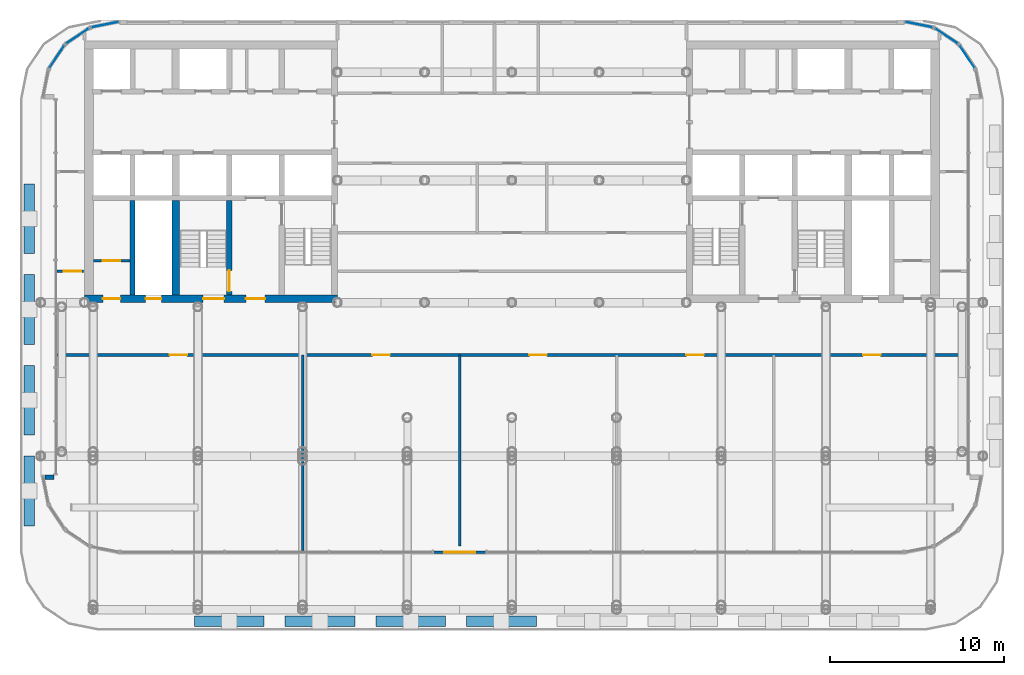
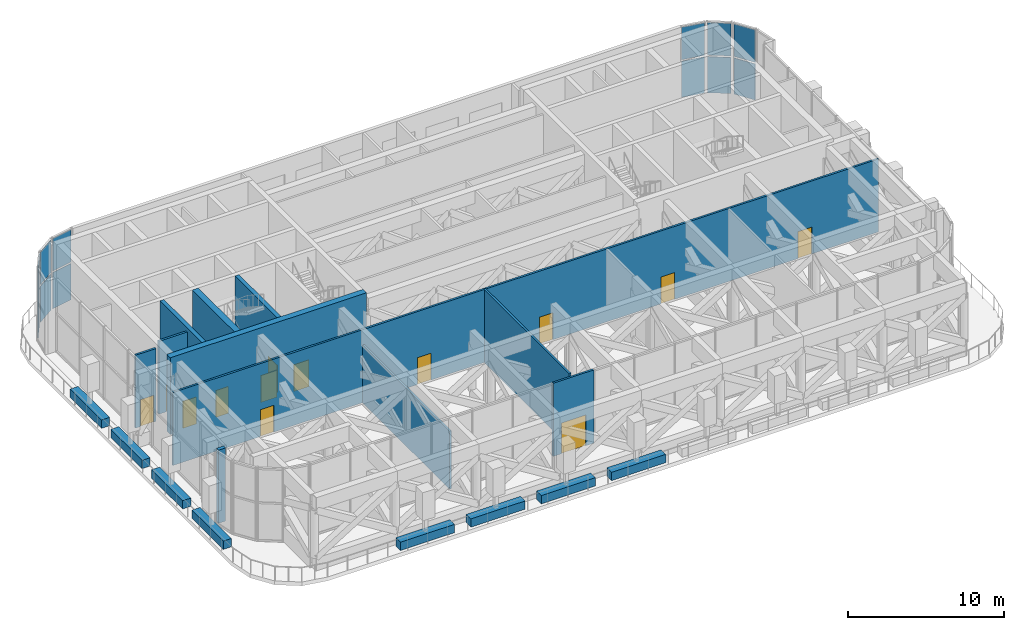
# One storey, part 11 of 20: 19 walls, 13 doors, 12 plates, 13 openings, 6 elements without a shape of their own.
"""IFC4 building model written with IfcOpenShell, lengths in metres."""

from ifc_helpers import new_model, si_unit, direction, frame, frame_2d, origin, origin_2d, place, context, subcontext, project, spatial, rectangle, extrude, material, layer, layer_set, type_object, element, fill, aggregate, save


model = new_model("IFC4")

# Units and contexts
model_context = context("Model", 3, precision=1e-05, world=origin(), true_north=direction((0.0, 1.0)))
body_context = subcontext(model_context, "Body", "Model", "MODEL_VIEW")
ifc_project = project(units=[si_unit("LENGTHUNIT", "METRE"), si_unit("AREAUNIT", "SQUARE_METRE"), si_unit("VOLUMEUNIT", "CUBIC_METRE"), si_unit("PLANEANGLEUNIT", "RADIAN"), si_unit("MASSUNIT", "GRAM", prefix="KILO")], contexts=[model_context])

# Site, building, storey
site_placement = place(None, origin())
site = spatial("IfcSite", under=ifc_project, at=site_placement, CompositionType="ELEMENT")
building_placement = place(site_placement, origin())
building = spatial("IfcBuilding", under=site, at=building_placement, Name="Torana Hotel and Residences", CompositionType="ELEMENT")
storey_placement = place(building_placement, frame((0.0, 0.0, 177.60009765625)))
storey = spatial("IfcBuildingStorey", under=building, at=storey_placement, Name="L46", CompositionType="ELEMENT", Elevation=177.60009765625)

# Curtain wall, plates
ifc_material_1 = material(Name="Dark anodised aluminium", Category="aluminium")
ifc_layer_1 = layer(ifc_material_1, 0.199951171875)
ifc_layer_set_1 = layer_set([ifc_layer_1], Name="CW2 SKY LOBBY UNITISED CURTAIN WALL")
curtain_wall_type = type_object("IfcCurtainWallType", Name="CW2 SKY LOBBY UNITISED CURTAIN WALL", PredefinedType="NOTDEFINED", material=ifc_layer_set_1)
curtain_wall_1_placement = place(storey_placement, origin())
curtain_wall_1 = element("IfcCurtainWall", 1, at=curtain_wall_1_placement, inside=storey, type_object=curtain_wall_type, Name="Curtain wall CW2 L46 e0.1-1", PredefinedType="NOTDEFINED")
ifc_material_2 = material(Name="Glass dark tinted double glazed unit", Category="glass")
ifc_layer_2 = layer(ifc_material_2, 0.031982421875)
ifc_layer_set_2 = layer_set([ifc_layer_2], Name="CW2 DARK GLASS PANEL 32")
plate_type = type_object("IfcPlateType", Name="CW2 DARK GLASS PANEL 32", PredefinedType="CURTAIN_PANEL", material=ifc_layer_set_2)
plate_1_placement = place(storey_placement, frame((26.086669921875, -0.903564453125, 0.11962890625), z_axis=(0.0, 0.0, 1.0), x_axis=(-0.555563713278, 0.831473968618, 0.0)))
plate_1 = element("IfcPlate", 2, at=plate_1_placement, type_object=plate_type, Name="CW2 panel 1.1", PredefinedType="CURTAIN_PANEL", context=body_context, shape_type="SweptSolid", body=[
    extrude(rectangle(XDim=1.516357421875, YDim=0.031982421875, at=origin_2d()), origin(), (0.0, 0.0, 1.0), 2.820068359375),
])
plate_2_placement = place(storey_placement, frame((26.086669921875, -0.903564453125, 3.059814453125), z_axis=(0.0, 0.0, 1.0), x_axis=(-0.555563713278, 0.831473968618, 0.0)))
plate_2 = element("IfcPlate", 3, at=plate_2_placement, type_object=plate_type, Name="CW2 panel 1.2", PredefinedType="CURTAIN_PANEL", context=body_context, shape_type="SweptSolid", body=[
    extrude(rectangle(XDim=1.516357421875, YDim=0.031982421875, at=origin_2d()), origin(), (0.0, 0.0, 1.0), 2.5400390625),
])
aggregate(curtain_wall_1, [plate_1, plate_2])

curtain_wall_2_placement = place(storey_placement, origin())
curtain_wall_2 = element("IfcCurtainWall", 4, at=curtain_wall_2_placement, inside=storey, type_object=curtain_wall_type, Name="Curtain wall CW2 L46 e0.2-1", PredefinedType="NOTDEFINED")
plate_3_placement = place(storey_placement, frame((24.896484375, 0.28662109375, 0.11962890625), z_axis=(0.0, 0.0, 1.0), x_axis=(-0.831473968618, 0.555563713278, 0.0)))
plate_3 = element("IfcPlate", 5, at=plate_3_placement, type_object=plate_type, Name="CW2 panel 1.1", PredefinedType="CURTAIN_PANEL", context=body_context, shape_type="SweptSolid", body=[
    extrude(rectangle(XDim=1.516357421875, YDim=0.031982421875, at=origin_2d()), origin(), (0.0, 0.0, 1.0), 2.820068359375),
])
plate_4_placement = place(storey_placement, frame((24.896484375, 0.28662109375, 3.059814453125), z_axis=(0.0, 0.0, 1.0), x_axis=(-0.831473968618, 0.555563713278, 0.0)))
plate_4 = element("IfcPlate", 6, at=plate_4_placement, type_object=plate_type, Name="CW2 panel 1.2", PredefinedType="CURTAIN_PANEL", context=body_context, shape_type="SweptSolid", body=[
    extrude(rectangle(XDim=1.516357421875, YDim=0.031982421875, at=origin_2d()), origin(), (0.0, 0.0, 1.0), 2.5400390625),
])
aggregate(curtain_wall_2, [plate_3, plate_4])

curtain_wall_3_placement = place(storey_placement, origin())
curtain_wall_3 = element("IfcCurtainWall", 7, at=curtain_wall_3_placement, inside=storey, type_object=curtain_wall_type, Name="Curtain wall CW2 L46 e0.3-1", PredefinedType="NOTDEFINED")
plate_5_placement = place(storey_placement, frame((23.3291015625, 0.93310546875, 0.11962890625), z_axis=(0.0, 0.0, 1.0), x_axis=(-0.980790545928, 0.195063848566, 0.0)))
plate_5 = element("IfcPlate", 8, at=plate_5_placement, type_object=plate_type, Name="CW2 panel 1.1", PredefinedType="CURTAIN_PANEL", context=body_context, shape_type="SweptSolid", body=[
    extrude(rectangle(XDim=1.54150390625, YDim=0.031982421875, at=origin_2d()), origin(), (0.0, 0.0, 1.0), 2.820068359375),
])
plate_6_placement = place(storey_placement, frame((23.3291015625, 0.93310546875, 3.059814453125), z_axis=(0.0, 0.0, 1.0), x_axis=(-0.980790545928, 0.195063848566, 0.0)))
plate_6 = element("IfcPlate", 9, at=plate_6_placement, type_object=plate_type, Name="CW2 panel 1.2", PredefinedType="CURTAIN_PANEL", context=body_context, shape_type="SweptSolid", body=[
    extrude(rectangle(XDim=1.54150390625, YDim=0.031982421875, at=origin_2d()), origin(), (0.0, 0.0, 1.0), 2.5400390625),
])
aggregate(curtain_wall_3, [plate_5, plate_6])

curtain_wall_4_placement = place(storey_placement, origin())
curtain_wall_4 = element("IfcCurtainWall", 10, at=curtain_wall_4_placement, inside=storey, type_object=curtain_wall_type, Name="Curtain wall CW2 L46 e0.5-1", PredefinedType="NOTDEFINED")
plate_7_placement = place(storey_placement, frame((-23.3291015625, 0.93310546875, 0.11962890625), z_axis=(0.0, 0.0, 1.0), x_axis=(-0.980790545928, -0.195063848566, 0.0)))
plate_7 = element("IfcPlate", 11, at=plate_7_placement, type_object=plate_type, Name="CW2 panel 1.1", PredefinedType="CURTAIN_PANEL", context=body_context, shape_type="SweptSolid", body=[
    extrude(rectangle(XDim=1.54150390625, YDim=0.031982421875, at=origin_2d()), origin(), (0.0, 0.0, 1.0), 2.820068359375),
])
plate_8_placement = place(storey_placement, frame((-23.3291015625, 0.93310546875, 3.059814453125), z_axis=(0.0, 0.0, 1.0), x_axis=(-0.980790545928, -0.195063848566, 0.0)))
plate_8 = element("IfcPlate", 12, at=plate_8_placement, type_object=plate_type, Name="CW2 panel 1.2", PredefinedType="CURTAIN_PANEL", context=body_context, shape_type="SweptSolid", body=[
    extrude(rectangle(XDim=1.54150390625, YDim=0.031982421875, at=origin_2d()), origin(), (0.0, 0.0, 1.0), 2.5400390625),
])
aggregate(curtain_wall_4, [plate_7, plate_8])

curtain_wall_5_placement = place(storey_placement, origin())
curtain_wall_5 = element("IfcCurtainWall", 13, at=curtain_wall_5_placement, inside=storey, type_object=curtain_wall_type, Name="Curtain wall CW2 L46 e0.6-1", PredefinedType="NOTDEFINED")
plate_9_placement = place(storey_placement, frame((-24.896484375, 0.28662109375, 0.11962890625), z_axis=(0.0, 0.0, 1.0), x_axis=(-0.831473968618, -0.555563713278, 0.0)))
plate_9 = element("IfcPlate", 14, at=plate_9_placement, type_object=plate_type, Name="CW2 panel 1.1", PredefinedType="CURTAIN_PANEL", context=body_context, shape_type="SweptSolid", body=[
    extrude(rectangle(XDim=1.516357421875, YDim=0.031982421875, at=origin_2d()), origin(), (0.0, 0.0, 1.0), 2.820068359375),
])
plate_10_placement = place(storey_placement, frame((-24.896484375, 0.28662109375, 3.059814453125), z_axis=(0.0, 0.0, 1.0), x_axis=(-0.831473968618, -0.555563713278, 0.0)))
plate_10 = element("IfcPlate", 15, at=plate_10_placement, type_object=plate_type, Name="CW2 panel 1.2", PredefinedType="CURTAIN_PANEL", context=body_context, shape_type="SweptSolid", body=[
    extrude(rectangle(XDim=1.516357421875, YDim=0.031982421875, at=origin_2d()), origin(), (0.0, 0.0, 1.0), 2.5400390625),
])
aggregate(curtain_wall_5, [plate_9, plate_10])

curtain_wall_6_placement = place(storey_placement, origin())
curtain_wall_6 = element("IfcCurtainWall", 16, at=curtain_wall_6_placement, inside=storey, type_object=curtain_wall_type, Name="Curtain wall CW2 L46 e0.7-1", PredefinedType="NOTDEFINED")
plate_11_placement = place(storey_placement, frame((-26.086669921875, -0.903564453125, 0.11962890625), z_axis=(0.0, 0.0, 1.0), x_axis=(-0.555563713278, -0.831473968618, 0.0)))
plate_11 = element("IfcPlate", 17, at=plate_11_placement, type_object=plate_type, Name="CW2 panel 1.1", PredefinedType="CURTAIN_PANEL", context=body_context, shape_type="SweptSolid", body=[
    extrude(rectangle(XDim=1.516357421875, YDim=0.031982421875, at=origin_2d()), origin(), (0.0, 0.0, 1.0), 2.820068359375),
])
plate_12_placement = place(storey_placement, frame((-26.086669921875, -0.903564453125, 3.059814453125), z_axis=(0.0, 0.0, 1.0), x_axis=(-0.555563713278, -0.831473968618, 0.0)))
plate_12 = element("IfcPlate", 18, at=plate_12_placement, type_object=plate_type, Name="CW2 panel 1.2", PredefinedType="CURTAIN_PANEL", context=body_context, shape_type="SweptSolid", body=[
    extrude(rectangle(XDim=1.516357421875, YDim=0.031982421875, at=origin_2d()), origin(), (0.0, 0.0, 1.0), 2.5400390625),
])
aggregate(curtain_wall_6, [plate_11, plate_12])

# Wall, opening, door
ifc_material_3 = material(Name="Concrete C70/85", Category="concrete")
ifc_layer_3 = layer(ifc_material_3, 0.300048828125)
ifc_layer_set_3 = layer_set([ifc_layer_3], Name="CORE WALL 300 C70/85")
wall_type_1 = type_object("IfcWallType", Name="CORE WALL 300 C70/85", PredefinedType="SHEAR", material=ifc_layer_set_3)
wall_1_placement = place(storey_placement, frame((-16.199951171875, -14.550048828125, 0.0), z_axis=(0.0, 0.0, 1.0), x_axis=(0.0, 1.0, 0.0)))
wall_1 = element("IfcWall", 19, at=wall_1_placement, inside=storey, type_object=wall_type_1, Name="Core wall W x6.05-band", PredefinedType="SHEAR", context=body_context, shape_type="SweptSolid", body=[
    extrude(rectangle(XDim=5.400146484375, YDim=0.300048828125, at=frame_2d((2.7001953125, 0.0))), origin(), (0.0, 0.0, 1.0), 6.0),
])
opening_1_placement = place(wall_1_placement, frame((0.199951171875, 0.0, 0.0)))
opening_1 = element("IfcOpeningElement", 20, at=opening_1_placement, cuts=wall_1, Name="Opening L46-14", PredefinedType="OPENING", context=body_context, shape_type="SweptSolid", body=[
    extrude(rectangle(XDim=1.199951171875, YDim=2.10009765625, at=frame_2d((0.60009765625, 1.050048828125))), frame((0.0, 0.159912109375, 0.0), z_axis=(0.0, -1.0, 0.0), x_axis=(1.0, 0.0, 0.0)), (0.0, 0.0, 1.0), 0.320068359375),
])
ifc_material_4 = material(Name="Steel S235", Category="steel")
door_type_1 = type_object("IfcDoorType", Name="STAIR FIRE DOOR D3 1200x2100", OperationType="SINGLE_SWING_LEFT", PredefinedType="DOOR", material=ifc_material_4)
door_1_placement = place(opening_1_placement, origin())
door_1 = element("IfcDoor", 21, at=door_1_placement, inside=storey, type_object=door_type_1, Name="Stair-B-lobby door L46", OperationType="SINGLE_SWING_RIGHT", OverallHeight=2.10009765625, OverallWidth=1.199951171875, PredefinedType="DOOR", context=body_context, shape_type="SweptSolid", body=[
    extrude(rectangle(XDim=1.199951171875, YDim=2.10009765625, at=frame_2d((0.60009765625, 1.050048828125))), frame((0.0, 0.02490234375, 0.0), z_axis=(0.0, -1.0, 0.0), x_axis=(1.0, 0.0, 0.0)), (0.0, 0.0, 1.0), 0.050048828125),
])
fill(opening_1, door_1)

# Wall
wall_2_placement = place(storey_placement, frame((-21.75, -14.550048828125, 0.0), z_axis=(0.0, 0.0, 1.0), x_axis=(0.0, 1.0, 0.0)))
element("IfcWall", 22, at=wall_2_placement, inside=storey, type_object=wall_type_1, Name="Core wall W mm-band", PredefinedType="SHEAR", context=body_context, shape_type="SweptSolid", body=[
    extrude(rectangle(XDim=5.400146484375, YDim=0.300048828125, at=frame_2d((2.7001953125, 0.0))), origin(), (0.0, 0.0, 1.0), 6.0),
])

# Wall, openings, doors
ifc_material_5 = material(Name="Concrete C70/85", Category="concrete")
ifc_layer_4 = layer(ifc_material_5, 0.449951171875)
ifc_layer_set_4 = layer_set([ifc_layer_4], Name="CORE WALL 450 C70/85")
wall_type_2 = type_object("IfcWallType", Name="CORE WALL 450 C70/85", PredefinedType="SHEAR", material=ifc_layer_set_4)
wall_3_placement = place(storey_placement, frame((-24.5, -14.77490234375, 0.0), z_axis=(0.0, 0.0, 1.0), x_axis=(1.0, 0.0, 0.0)))
wall_3 = element("IfcWall", 23, at=wall_3_placement, inside=storey, type_object=wall_type_2, Name="Core wall W front", PredefinedType="SHEAR", context=body_context, shape_type="SweptSolid", body=[
    extrude(rectangle(XDim=14.5, YDim=0.449951171875, at=frame_2d((7.25, 0.0))), origin(), (0.0, 0.0, 1.0), 6.0),
])
opening_2_placement = place(wall_3_placement, frame((6.800048828125, 0.0, 0.0)))
opening_2 = element("IfcOpeningElement", 24, at=opening_2_placement, cuts=wall_3, Name="Opening L46-04", PredefinedType="OPENING", context=body_context, shape_type="SweptSolid", body=[
    extrude(rectangle(XDim=1.199951171875, YDim=2.10009765625, at=frame_2d((0.60009765625, 1.050048828125))), frame((0.0, 0.23486328125, 0.0), z_axis=(0.0, -1.0, 0.0), x_axis=(1.0, 0.0, 0.0)), (0.0, 0.0, 1.0), 0.469970703125),
])
opening_3_placement = place(wall_3_placement, frame((9.25, 0.0, 0.0)))
opening_3 = element("IfcOpeningElement", 25, at=opening_3_placement, cuts=wall_3, Name="Opening L46-05", PredefinedType="OPENING", context=body_context, shape_type="SweptSolid", body=[
    extrude(rectangle(XDim=1.10009765625, YDim=2.10009765625, at=frame_2d((0.550048828125, 1.050048828125))), frame((0.0, 0.23486328125, 0.0), z_axis=(0.0, -1.0, 0.0), x_axis=(1.0, 0.0, 0.0)), (0.0, 0.0, 1.0), 0.469970703125),
])
opening_4_placement = place(wall_3_placement, frame((3.5, 0.0, 0.0)))
opening_4 = element("IfcOpeningElement", 26, at=opening_4_placement, cuts=wall_3, Name="Opening L46-06", PredefinedType="OPENING", context=body_context, shape_type="SweptSolid", body=[
    extrude(rectangle(XDim=0.89990234375, YDim=2.10009765625, at=frame_2d((0.449951171875, 1.050048828125))), frame((0.0, 0.23486328125, 0.0), z_axis=(0.0, -1.0, 0.0), x_axis=(1.0, 0.0, 0.0)), (0.0, 0.0, 1.0), 0.469970703125),
])
opening_5_placement = place(wall_3_placement, frame((1.050048828125, 0.0, 0.0)))
opening_5 = element("IfcOpeningElement", 27, at=opening_5_placement, cuts=wall_3, Name="Opening L46-07", PredefinedType="OPENING", context=body_context, shape_type="SweptSolid", body=[
    extrude(rectangle(XDim=1.0, YDim=2.10009765625, at=frame_2d((0.5, 1.050048828125))), frame((0.0, 0.23486328125, 0.0), z_axis=(0.0, -1.0, 0.0), x_axis=(1.0, 0.0, 0.0)), (0.0, 0.0, 1.0), 0.469970703125),
])
ifc_material_6 = material(Name="Steel S235", Category="steel")
door_type_2 = type_object("IfcDoorType", Name="CORE ROOM FIRE DOOR D14 1000x2100", OperationType="SINGLE_SWING_LEFT", PredefinedType="DOOR", material=ifc_material_6)
door_2_placement = place(opening_5_placement, origin())
door_2 = element("IfcDoor", 28, at=door_2_placement, inside=storey, type_object=door_type_2, Name="M-Room-B door L46", OperationType="SINGLE_SWING_RIGHT", OverallHeight=2.10009765625, OverallWidth=1.0, PredefinedType="DOOR", context=body_context, shape_type="SweptSolid", body=[
    extrude(rectangle(XDim=1.0, YDim=2.10009765625, at=frame_2d((0.5, 1.050048828125))), frame((0.0, 0.02490234375, 0.0), z_axis=(0.0, -1.0, 0.0), x_axis=(1.0, 0.0, 0.0)), (0.0, 0.0, 1.0), 0.050048828125),
])
fill(opening_5, door_2)
ifc_material_7 = material(Name="Steel S235", Category="steel")
door_type_3 = type_object("IfcDoorType", Name="FIRE-FIGHTING LOBBY DOOR D8 1100x2100", OperationType="SINGLE_SWING_LEFT", PredefinedType="DOOR", material=ifc_material_7)
door_3_placement = place(opening_3_placement, origin())
door_3 = element("IfcDoor", 29, at=door_3_placement, inside=storey, type_object=door_type_3, Name="FF-lobby door L46", OperationType="SINGLE_SWING_RIGHT", OverallHeight=2.10009765625, OverallWidth=1.10009765625, PredefinedType="DOOR", context=body_context, shape_type="SweptSolid", body=[
    extrude(rectangle(XDim=1.10009765625, YDim=2.10009765625, at=frame_2d((0.550048828125, 1.050048828125))), frame((0.0, 0.02490234375, 0.0), z_axis=(0.0, -1.0, 0.0), x_axis=(1.0, 0.0, 0.0)), (0.0, 0.0, 1.0), 0.050048828125),
])
fill(opening_3, door_3)
ifc_material_8 = material(Name="Steel S235", Category="steel")
door_type_4 = type_object("IfcDoorType", Name="RISER ACCESS DOOR D5 900x2100", OperationType="SINGLE_SWING_LEFT", PredefinedType="DOOR", material=ifc_material_8)
door_4_placement = place(opening_4_placement, origin())
door_4 = element("IfcDoor", 30, at=door_4_placement, inside=storey, type_object=door_type_4, Name="M-Riser door L46", OperationType="SINGLE_SWING_RIGHT", OverallHeight=2.10009765625, OverallWidth=0.89990234375, PredefinedType="DOOR", context=body_context, shape_type="SweptSolid", body=[
    extrude(rectangle(XDim=0.89990234375, YDim=2.10009765625, at=frame_2d((0.449951171875, 1.050048828125))), frame((0.0, 0.02490234375, 0.0), z_axis=(0.0, -1.0, 0.0), x_axis=(1.0, 0.0, 0.0)), (0.0, 0.0, 1.0), 0.050048828125),
])
fill(opening_4, door_4)
door_5_placement = place(opening_2_placement, origin())
door_5 = element("IfcDoor", 31, at=door_5_placement, inside=storey, type_object=door_type_1, Name="Stair-B door L46", OperationType="SINGLE_SWING_LEFT", OverallHeight=2.10009765625, OverallWidth=1.199951171875, PredefinedType="DOOR", context=body_context, shape_type="SweptSolid", body=[
    extrude(rectangle(XDim=1.199951171875, YDim=2.10009765625, at=frame_2d((0.60009765625, 1.050048828125))), frame((0.0, 0.02490234375, 0.0), z_axis=(0.0, -1.0, 0.0), x_axis=(1.0, 0.0, 0.0)), (0.0, 0.0, 1.0), 0.050048828125),
])
fill(opening_2, door_5)

# Walls
wall_4_placement = place(storey_placement, frame((-19.27490234375, -14.550048828125, 0.0), z_axis=(0.0, 0.0, 1.0), x_axis=(0.0, 1.0, 0.0)))
element("IfcWall", 32, at=wall_4_placement, inside=storey, type_object=wall_type_2, Name="Core wall W hm-band", PredefinedType="SHEAR", context=body_context, shape_type="SweptSolid", body=[
    extrude(rectangle(XDim=5.400146484375, YDim=0.449951171875, at=frame_2d((2.7001953125, 0.0))), origin(), (0.0, 0.0, 1.0), 6.0),
])
ifc_material_9 = material(Name="Black aluminium composite panel", Category="aluminium")
ifc_layer_5 = layer(ifc_material_9, 0.00390625, Name="Cladding", Category="cladding")
ifc_material_10 = material(Name="Ventilated air cavity")
ifc_layer_6 = layer(ifc_material_10, 0.0400390625, Name="Ventilated cavity", Category="cavity")
ifc_material_11 = material(Name="Mineral wool insulation")
ifc_layer_7 = layer(ifc_material_11, 0.090087890625, Name="Insulation", Category="insulation")
ifc_material_12 = material(Name="Steel S280GD", Category="steel")
ifc_layer_8 = layer(ifc_material_12, 0.092041015625, Name="Steel stud frame", Category="structure")
ifc_material_13 = material(Name="Fire rated plasterboard")
ifc_layer_9 = layer(ifc_material_13, 0.011962890625, Name="Inner board", Category="finish")
ifc_layer_10 = layer(ifc_material_13, 0.011962890625, Name="Second board", Category="finish")
ifc_layer_set_5 = layer_set([ifc_layer_5, ifc_layer_6, ifc_layer_7, ifc_layer_8, ifc_layer_9, ifc_layer_10], Name="EW1 EXTERNAL WALL BLACK METAL CLAD 250")
wall_type_3 = type_object("IfcWallType", Name="EW1 EXTERNAL WALL BLACK METAL CLAD 250", PredefinedType="SOLIDWALL", material=ifc_layer_set_5)
wall_5_placement = place(storey_placement, frame((-26.2548828125, -25.00048828125, 0.0), z_axis=(0.0, 0.0, 1.0), x_axis=(-1.0, 0.0, 0.0)))
element("IfcWall", 33, at=wall_5_placement, inside=storey, type_object=wall_type_3, Name="External wall L46 e0.9 return 2", PredefinedType="SOLIDWALL", context=body_context, shape_type="SweptSolid", body=[
    extrude(rectangle(XDim=0.525146484375, YDim=0.25, at=frame_2d((0.2626953125, 0.0))), origin(), (0.0, 0.0, 1.0), 5.719970703125),
])

# Wall, opening, door
ifc_material_14 = material(Name="Gypsum plaster")
ifc_layer_11 = layer(ifc_material_14, 0.014892578125, Name="Plaster", Category="finish")
ifc_material_15 = material(Name="Concrete blockwork", Category="masonry")
ifc_layer_12 = layer(ifc_material_15, 0.1201171875, Name="Blockwork", Category="structure")
ifc_layer_13 = layer(ifc_material_14, 0.014892578125, Name="Plaster", Category="finish")
ifc_layer_set_6 = layer_set([ifc_layer_11, ifc_layer_12, ifc_layer_13], Name="FIRE PARTITION 150 BLOCKWORK")
wall_type_4 = type_object("IfcWallType", Name="FIRE PARTITION 150 BLOCKWORK", PredefinedType="PARTITIONING", material=ifc_layer_set_6)
wall_6_placement = place(storey_placement, frame((-24.0, -12.60009765625, 0.0), z_axis=(0.0, 0.0, 1.0), x_axis=(1.0, 0.0, 0.0)))
wall_6 = element("IfcWall", 34, at=wall_6_placement, inside=storey, type_object=wall_type_4, Name="Core partition L46", PredefinedType="PARTITIONING", context=body_context, shape_type="SweptSolid", body=[
    extrude(rectangle(XDim=2.10009765625, YDim=0.14990234375, at=frame_2d((1.050048828125, 0.0))), origin(), (0.0, 0.0, 1.0), 5.699951171875),
])
opening_6_placement = place(wall_6_placement, frame((0.550048828125, 0.0, 0.0)))
opening_6 = element("IfcOpeningElement", 35, at=opening_6_placement, cuts=wall_6, Name="Opening L46-29", PredefinedType="OPENING", context=body_context, shape_type="SweptSolid", body=[
    extrude(rectangle(XDim=1.0, YDim=2.10009765625, at=frame_2d((0.5, 1.050048828125))), frame((0.0, 0.0849609375, 0.0), z_axis=(0.0, -1.0, 0.0), x_axis=(1.0, 0.0, 0.0)), (0.0, 0.0, 1.0), 0.169921875),
])
door_6_placement = place(opening_6_placement, origin())
door_6 = element("IfcDoor", 36, at=door_6_placement, inside=storey, type_object=door_type_2, Name="Plant room door L46", OperationType="SINGLE_SWING_RIGHT", OverallHeight=2.10009765625, OverallWidth=1.0, PredefinedType="DOOR", context=body_context, shape_type="SweptSolid", body=[
    extrude(rectangle(XDim=1.0, YDim=2.10009765625, at=frame_2d((0.5, 1.050048828125))), frame((0.0, 0.02490234375, 0.0), z_axis=(0.0, -1.0, 0.0), x_axis=(1.0, 0.0, 0.0)), (0.0, 0.0, 1.0), 0.050048828125),
])
fill(opening_6, door_6)

# Wall, openings, doors
wall_7_placement = place(storey_placement, frame((-26.074951171875, -18.0, 0.0), z_axis=(0.0, 0.0, 1.0), x_axis=(1.0, 0.0, 0.0)))
wall_7 = element("IfcWall", 37, at=wall_7_placement, inside=storey, type_object=wall_type_4, Name="Partition L46", PredefinedType="PARTITIONING", context=body_context, shape_type="SweptSolid", body=[
    extrude(rectangle(XDim=52.14990234375, YDim=0.14990234375, at=frame_2d((26.074951171875, 0.0))), origin(), (0.0, 0.0, 1.0), 5.699951171875),
])
opening_7_placement = place(wall_7_placement, frame((6.447998046875, 0.0, 0.0)))
opening_7 = element("IfcOpeningElement", 38, at=opening_7_placement, cuts=wall_7, Name="Opening L46-32", PredefinedType="OPENING", context=body_context, shape_type="SweptSolid", body=[
    extrude(rectangle(XDim=1.0, YDim=2.10009765625, at=frame_2d((0.5, 1.050048828125))), frame((0.0, 0.0849609375, 0.0), z_axis=(0.0, -1.0, 0.0), x_axis=(1.0, 0.0, 0.0)), (0.0, 0.0, 1.0), 0.169921875),
])
opening_8_placement = place(wall_7_placement, frame((18.074951171875, 0.0, 0.0)))
opening_8 = element("IfcOpeningElement", 39, at=opening_8_placement, cuts=wall_7, Name="Opening L46-33", PredefinedType="OPENING", context=body_context, shape_type="SweptSolid", body=[
    extrude(rectangle(XDim=1.0, YDim=2.10009765625, at=frame_2d((0.5, 1.050048828125))), frame((0.0, 0.0849609375, 0.0), z_axis=(0.0, -1.0, 0.0), x_axis=(1.0, 0.0, 0.0)), (0.0, 0.0, 1.0), 0.169921875),
])
opening_9_placement = place(wall_7_placement, frame((27.074951171875, 0.0, 0.0)))
opening_9 = element("IfcOpeningElement", 40, at=opening_9_placement, cuts=wall_7, Name="Opening L46-34", PredefinedType="OPENING", context=body_context, shape_type="SweptSolid", body=[
    extrude(rectangle(XDim=1.0, YDim=2.10009765625, at=frame_2d((0.5, 1.050048828125))), frame((0.0, 0.0849609375, 0.0), z_axis=(0.0, -1.0, 0.0), x_axis=(1.0, 0.0, 0.0)), (0.0, 0.0, 1.0), 0.169921875),
])
opening_10_placement = place(wall_7_placement, frame((36.074951171875, 0.0, 0.0)))
opening_10 = element("IfcOpeningElement", 41, at=opening_10_placement, cuts=wall_7, Name="Opening L46-35", PredefinedType="OPENING", context=body_context, shape_type="SweptSolid", body=[
    extrude(rectangle(XDim=1.0, YDim=2.10009765625, at=frame_2d((0.5, 1.050048828125))), frame((0.0, 0.0849609375, 0.0), z_axis=(0.0, -1.0, 0.0), x_axis=(1.0, 0.0, 0.0)), (0.0, 0.0, 1.0), 0.169921875),
])
opening_11_placement = place(wall_7_placement, frame((46.201904296875, 0.0, 0.0)))
opening_11 = element("IfcOpeningElement", 42, at=opening_11_placement, cuts=wall_7, Name="Opening L46-36", PredefinedType="OPENING", context=body_context, shape_type="SweptSolid", body=[
    extrude(rectangle(XDim=1.0, YDim=2.10009765625, at=frame_2d((0.5, 1.050048828125))), frame((0.0, 0.0849609375, 0.0), z_axis=(0.0, -1.0, 0.0), x_axis=(1.0, 0.0, 0.0)), (0.0, 0.0, 1.0), 0.169921875),
])
ifc_material_16 = material(Name="Steel S235", Category="steel")
door_type_5 = type_object("IfcDoorType", Name="ENTRY FIRE DOOR D6 1000x2100", OperationType="SINGLE_SWING_LEFT", PredefinedType="DOOR", material=ifc_material_16)
door_7_placement = place(opening_7_placement, frame((0.5, 0.0, 0.0), z_axis=(0.0, 0.0, 1.0), x_axis=(-1.0, 0.0, 0.0)))
door_7 = element("IfcDoor", 43, at=door_7_placement, inside=storey, type_object=door_type_5, Name="Door L46", OperationType="SINGLE_SWING_LEFT", OverallHeight=2.10009765625, OverallWidth=1.0, PredefinedType="DOOR", context=body_context, shape_type="SweptSolid", body=[
    extrude(rectangle(XDim=1.0, YDim=2.10009765625, at=frame_2d((0.0, 1.050048828125))), frame((0.0, -0.02490234375, 0.0), z_axis=(0.0, 1.0, 0.0), x_axis=(-1.0, 0.0, 0.0)), (0.0, 0.0, 1.0), 0.050048828125),
])
fill(opening_7, door_7)
door_8_placement = place(opening_8_placement, frame((0.5, 0.0, 0.0), z_axis=(0.0, 0.0, 1.0), x_axis=(-1.0, 0.0, 0.0)))
door_8 = element("IfcDoor", 44, at=door_8_placement, inside=storey, type_object=door_type_5, Name="Door L46", OperationType="SINGLE_SWING_LEFT", OverallHeight=2.10009765625, OverallWidth=1.0, PredefinedType="DOOR", context=body_context, shape_type="SweptSolid", body=[
    extrude(rectangle(XDim=1.0, YDim=2.10009765625, at=frame_2d((0.0, 1.050048828125))), frame((0.0, -0.02490234375, 0.0), z_axis=(0.0, 1.0, 0.0), x_axis=(-1.0, 0.0, 0.0)), (0.0, 0.0, 1.0), 0.050048828125),
])
fill(opening_8, door_8)
door_9_placement = place(opening_9_placement, frame((0.5, 0.0, 0.0), z_axis=(0.0, 0.0, 1.0), x_axis=(-1.0, 0.0, 0.0)))
door_9 = element("IfcDoor", 45, at=door_9_placement, inside=storey, type_object=door_type_5, Name="Door L46", OperationType="SINGLE_SWING_LEFT", OverallHeight=2.10009765625, OverallWidth=1.0, PredefinedType="DOOR", context=body_context, shape_type="SweptSolid", body=[
    extrude(rectangle(XDim=1.0, YDim=2.10009765625, at=frame_2d((0.0, 1.050048828125))), frame((0.0, -0.02490234375, 0.0), z_axis=(0.0, 1.0, 0.0), x_axis=(-1.0, 0.0, 0.0)), (0.0, 0.0, 1.0), 0.050048828125),
])
fill(opening_9, door_9)
door_10_placement = place(opening_10_placement, frame((0.5, 0.0, 0.0), z_axis=(0.0, 0.0, 1.0), x_axis=(-1.0, 0.0, 0.0)))
door_10 = element("IfcDoor", 46, at=door_10_placement, inside=storey, type_object=door_type_5, Name="Door L46", OperationType="SINGLE_SWING_LEFT", OverallHeight=2.10009765625, OverallWidth=1.0, PredefinedType="DOOR", context=body_context, shape_type="SweptSolid", body=[
    extrude(rectangle(XDim=1.0, YDim=2.10009765625, at=frame_2d((0.0, 1.050048828125))), frame((0.0, -0.02490234375, 0.0), z_axis=(0.0, 1.0, 0.0), x_axis=(-1.0, 0.0, 0.0)), (0.0, 0.0, 1.0), 0.050048828125),
])
fill(opening_10, door_10)
door_11_placement = place(opening_11_placement, frame((0.5, 0.0, 0.0), z_axis=(0.0, 0.0, 1.0), x_axis=(-1.0, 0.0, 0.0)))
door_11 = element("IfcDoor", 47, at=door_11_placement, inside=storey, type_object=door_type_5, Name="Door L46", OperationType="SINGLE_SWING_LEFT", OverallHeight=2.10009765625, OverallWidth=1.0, PredefinedType="DOOR", context=body_context, shape_type="SweptSolid", body=[
    extrude(rectangle(XDim=1.0, YDim=2.10009765625, at=frame_2d((0.0, 1.050048828125))), frame((0.0, -0.02490234375, 0.0), z_axis=(0.0, 1.0, 0.0), x_axis=(-1.0, 0.0, 0.0)), (0.0, 0.0, 1.0), 0.050048828125),
])
fill(opening_11, door_11)

# Wall, opening, door
wall_8_placement = place(storey_placement, frame((-26.074951171875, -13.199951171875, 0.0), z_axis=(0.0, 0.0, 1.0), x_axis=(1.0, 0.0, 0.0)))
wall_8 = element("IfcWall", 48, at=wall_8_placement, inside=storey, type_object=wall_type_4, Name="Partition L46", PredefinedType="PARTITIONING", context=body_context, shape_type="SweptSolid", body=[
    extrude(rectangle(XDim=1.52490234375, YDim=0.14990234375, at=frame_2d((0.762451171875, 0.0))), origin(), (0.0, 0.0, 1.0), 5.699951171875),
])
opening_12_placement = place(wall_8_placement, frame((0.375, 0.0, 0.0)))
opening_12 = element("IfcOpeningElement", 49, at=opening_12_placement, cuts=wall_8, Name="Opening L46-37", PredefinedType="OPENING", context=body_context, shape_type="SweptSolid", body=[
    extrude(rectangle(XDim=1.0, YDim=2.10009765625, at=frame_2d((0.5, 1.050048828125))), frame((0.0, 0.0849609375, 0.0), z_axis=(0.0, -1.0, 0.0), x_axis=(1.0, 0.0, 0.0)), (0.0, 0.0, 1.0), 0.169921875),
])
door_12_placement = place(opening_12_placement, origin())
door_12 = element("IfcDoor", 50, at=door_12_placement, inside=storey, type_object=door_type_2, Name="Door L46", OperationType="SINGLE_SWING_LEFT", OverallHeight=2.10009765625, OverallWidth=1.0, PredefinedType="DOOR", context=body_context, shape_type="SweptSolid", body=[
    extrude(rectangle(XDim=1.0, YDim=2.10009765625, at=frame_2d((0.5, 1.050048828125))), frame((0.0, 0.02490234375, 0.0), z_axis=(0.0, -1.0, 0.0), x_axis=(1.0, 0.0, 0.0)), (0.0, 0.0, 1.0), 0.050048828125),
])
fill(opening_12, door_12)

ifc_material_17 = material(Name="Dark glass screen in aluminium frame", Category="aluminium")
ifc_layer_14 = layer(ifc_material_17, 0.14990234375)
ifc_layer_set_7 = layer_set([ifc_layer_14], Name="GS1 GLAZED DOOR SCREEN 150")
wall_type_5 = type_object("IfcWallType", Name="GS1 GLAZED DOOR SCREEN 150", PredefinedType="USERDEFINED", material=ifc_layer_set_7)
wall_9_placement = place(storey_placement, frame((-4.4951171875, -29.300048828125, 0.0), z_axis=(0.0, 0.0, 1.0), x_axis=(1.0, 0.0, 0.0)))
wall_9 = element("IfcWall", 51, at=wall_9_placement, inside=storey, type_object=wall_type_5, Name="Glazed door screen L46", ObjectType="GLAZED SCREEN", PredefinedType="USERDEFINED", context=body_context, shape_type="SweptSolid", body=[
    extrude(rectangle(XDim=2.996826171875, YDim=0.14990234375, at=frame_2d((1.49853515625, 0.0))), origin(), (0.0, 0.0, 1.0), 5.719970703125),
])
opening_13_placement = place(wall_9_placement, frame((0.598388671875, 0.0, 0.0)))
opening_13 = element("IfcOpeningElement", 52, at=opening_13_placement, cuts=wall_9, Name="Opening L46-E01", PredefinedType="OPENING", context=body_context, shape_type="SweptSolid", body=[
    extrude(rectangle(XDim=1.800048828125, YDim=2.39990234375, at=frame_2d((0.89990234375, 1.199951171875))), frame((0.0, 0.0849609375, 0.0), z_axis=(0.0, -1.0, 0.0), x_axis=(1.0, 0.0, 0.0)), (0.0, 0.0, 1.0), 0.169921875),
])
ifc_material_18 = material(Name="Dark glass in black aluminium frame", Category="aluminium")
door_type_6 = type_object("IfcDoorType", Name="DE2 TERRACE DOOR 1800x2400", OperationType="DOUBLE_DOOR_SINGLE_SWING", PredefinedType="DOOR", material=ifc_material_18)
door_13_placement = place(opening_13_placement, origin())
door_13 = element("IfcDoor", 53, at=door_13_placement, inside=storey, type_object=door_type_6, Name="Terrace door L46", OperationType="DOUBLE_DOOR_SINGLE_SWING", OverallHeight=2.39990234375, OverallWidth=1.800048828125, PredefinedType="DOOR", context=body_context, shape_type="SweptSolid", body=[
    extrude(rectangle(XDim=1.800048828125, YDim=2.39990234375, at=frame_2d((0.89990234375, 1.199951171875))), frame((0.0, 0.02490234375, 0.0), z_axis=(0.0, -1.0, 0.0), x_axis=(1.0, 0.0, 0.0)), (0.0, 0.0, 1.0), 0.050048828125),
])
fill(opening_13, door_13)

# Walls
ifc_material_19 = material(Name="Gypsum plasterboard")
ifc_layer_15 = layer(ifc_material_19, 0.012451171875, Name="Plasterboard", Category="finish")
ifc_layer_16 = layer(ifc_material_19, 0.012451171875, Name="Plasterboard", Category="finish")
ifc_layer_17 = layer(ifc_material_12, 0.10009765625, Name="Steel studs with mineral wool", Category="insulation")
ifc_layer_18 = layer(ifc_material_19, 0.012451171875, Name="Plasterboard", Category="finish")
ifc_layer_19 = layer(ifc_material_19, 0.012451171875, Name="Plasterboard", Category="finish")
ifc_layer_set_8 = layer_set([ifc_layer_15, ifc_layer_16, ifc_layer_17, ifc_layer_18, ifc_layer_19], Name="PARTITION 150 PLASTERBOARD")
wall_type_6 = type_object("IfcWallType", Name="PARTITION 150 PLASTERBOARD", PredefinedType="PARTITIONING", material=ifc_layer_set_8)
wall_10_placement = place(storey_placement, frame((-3.0, -28.93994140625, 0.0), z_axis=(0.0, 0.0, 1.0), x_axis=(0.0, 1.0, 0.0)))
element("IfcWall", 54, at=wall_10_placement, inside=storey, type_object=wall_type_6, Name="Partition L46", PredefinedType="PARTITIONING", context=body_context, shape_type="SweptSolid", body=[
    extrude(rectangle(XDim=10.93994140625, YDim=0.14990234375, at=frame_2d((5.469970703125, 0.0))), origin(), (0.0, 0.0, 1.0), 5.699951171875),
])
wall_11_placement = place(storey_placement, frame((-12.0, -29.219970703125, 0.0), z_axis=(0.0, 0.0, 1.0), x_axis=(0.0, 1.0, 0.0)))
element("IfcWall", 55, at=wall_11_placement, inside=storey, type_object=wall_type_6, Name="Partition L46", PredefinedType="PARTITIONING", context=body_context, shape_type="SweptSolid", body=[
    extrude(rectangle(XDim=11.219970703125, YDim=0.14990234375, at=frame_2d((5.60986328125, 0.0))), origin(), (0.0, 0.0, 1.0), 4.52001953125),
])
ifc_material_20 = material(Name="Concrete C40/50 precast", Category="concrete")
ifc_layer_20 = layer(ifc_material_20, 0.10009765625, Name="Planter shell", Category="structure")
ifc_material_21 = material(Name="Root resistant membrane")
ifc_layer_21 = layer(ifc_material_21, 0.00390625, Name="Waterproofing membrane", Category="membrane")
ifc_material_22 = material(Name="Drainage board with filter fleece")
ifc_layer_22 = layer(ifc_material_22, 0.02001953125, Name="Drainage board", Category="drainage")
ifc_material_23 = material(Name="Growing medium")
ifc_layer_23 = layer(ifc_material_23, 0.47607421875, Name="Planting substrate", Category="soil")
ifc_layer_set_9 = layer_set([ifc_layer_20, ifc_layer_21, ifc_layer_22, ifc_layer_23], Name="PL1 BALCONY PLANTER 600")
wall_type_7 = type_object("IfcWallType", Name="PL1 BALCONY PLANTER 600", PredefinedType="USERDEFINED", material=ifc_layer_set_9)
for number, where, z_axis, x_axis, name in (
    (56, (1.39208984375, -33.27001953125, 0.0), (0.0, 0.0, 1.0), (-1.0, 0.0, 0.0), "Planter L46 1.9"),
    (57, (-3.807861328125, -33.27001953125, 0.0), (0.0, 0.0, 1.0), (-1.0, 0.0, 0.0), "Planter L46 1.10"),
    (58, (-9.0078125, -33.27001953125, 0.0), (0.0, 0.0, 1.0), (-1.0, 0.0, 0.0), "Planter L46 1.11"),
    (59, (-14.2080078125, -33.27001953125, 0.0), (0.0, 0.0, 1.0), (-1.0, 0.0, 0.0), "Planter L46 1.12"),
    (60, (-27.669921875, -27.7919921875, 0.0), (0.0, 0.0, 1.0), (0.0, 1.0, 0.0), "Planter L46 1.13"),
    (61, (-27.669921875, -22.592041015625, 0.0), (0.0, 0.0, 1.0), (0.0, 1.0, 0.0), "Planter L46 1.14"),
    (62, (-27.669921875, -17.39208984375, 0.0), (0.0, 0.0, 1.0), (0.0, 1.0, 0.0), "Planter L46 1.15"),
    (63, (-27.669921875, -12.192138671875, 0.0), (0.0, 0.0, 1.0), (0.0, 1.0, 0.0), "Planter L46 1.16"),
):
    element("IfcWall", number, at=place(storey_placement, frame(where, z_axis=z_axis, x_axis=x_axis)), inside=storey, type_object=wall_type_7, Name=name, ObjectType="PLANTER", PredefinedType="USERDEFINED", context=body_context, shape_type="SweptSolid", body=[
        extrude(rectangle(XDim=4.0, YDim=0.60009765625, at=frame_2d((2.0, 0.0))), origin(), (0.0, 0.0, 1.0), 0.64990234375),
    ])

save(model, "model.ifc")
